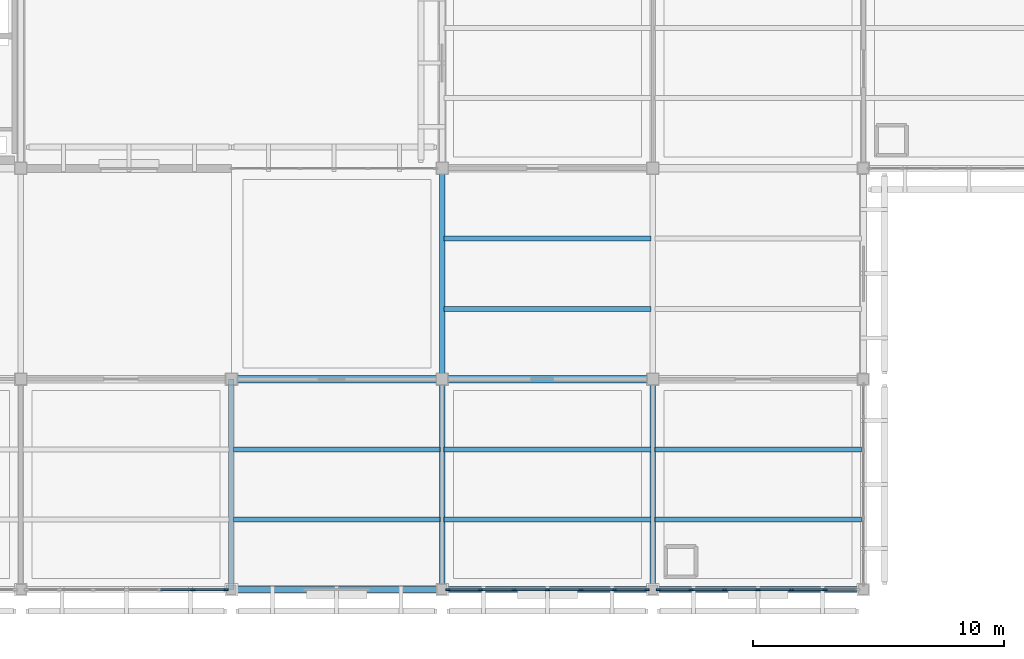
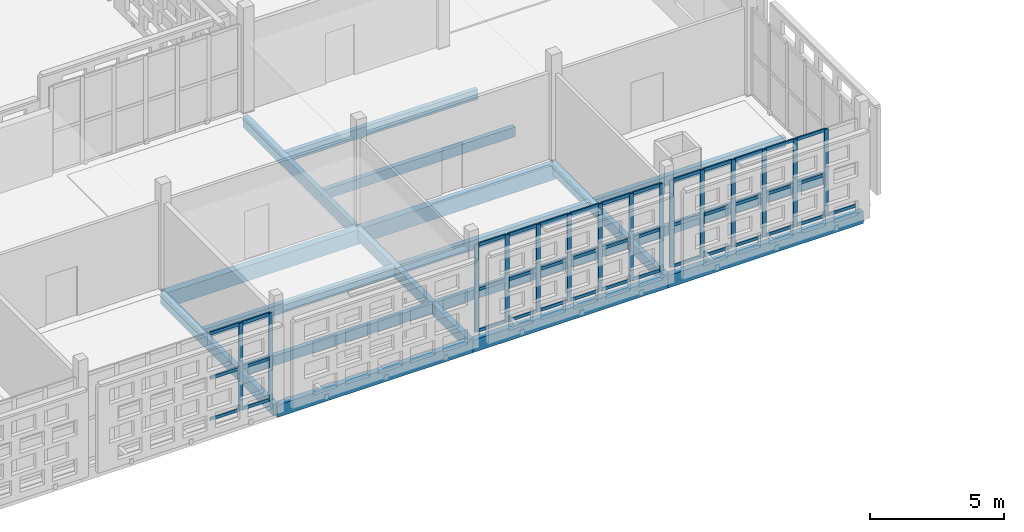
# One storey, part 19 of 203: 55 members, 17 beams, 3 elements without a shape of their own.
"""IFC4 building model written with IfcOpenShell, lengths in metres."""

from ifc_helpers import new_model, si_unit, direction, frame, origin, origin_2d, place, context, subcontext, project, spatial, rectangle, extrude, material, layer, layer_set, material_profile, profile_set, type_object, element, aggregate, save


model = new_model("IFC4")

# Units and contexts
model_context = context("Model", 3, precision=1e-05, world=origin(), true_north=direction((0.0, 1.0)))
body_context = subcontext(model_context, "Body", "Model", "MODEL_VIEW")
ifc_project = project(units=[si_unit("LENGTHUNIT", "METRE"), si_unit("AREAUNIT", "SQUARE_METRE"), si_unit("VOLUMEUNIT", "CUBIC_METRE"), si_unit("PLANEANGLEUNIT", "RADIAN"), si_unit("MASSUNIT", "GRAM", prefix="KILO")], contexts=[model_context])

# Site, building, storey
site_placement = place(None, origin())
site = spatial("IfcSite", under=ifc_project, at=site_placement, CompositionType="ELEMENT")
building_placement = place(site_placement, origin())
building = spatial("IfcBuilding", under=site, at=building_placement, Name="Varnapada Polytechnic", CompositionType="ELEMENT")
storey_placement = place(building_placement, frame((0.0, 0.0, 4.800048828125)))
storey = spatial("IfcBuildingStorey", under=building, at=storey_placement, Name="L01", CompositionType="ELEMENT", Elevation=4.800048828125)

# Beams
ifc_material_1 = material(Name="Glulam GL32h", Category="wood")
ifc_material_profile_1 = material_profile(ifc_material_1, rectangle(XDim=0.199951171875, YDim=0.43994140625, at=origin_2d()), Name="GL 200x440")
ifc_profile_set_1 = profile_set([ifc_material_profile_1], Name="Glulam GL32h")
beam_type_1 = type_object("IfcBeamType", Name="Heavy laboratory glulam joist GJ-03 (GL 200x440)", PredefinedType="JOIST", material=ifc_profile_set_1)
for number, where, z_axis, x_axis, name in (
    (1, (33.679931640625, 2.800048828125, -0.47998046875), (1.0, 0.0, 0.0), (0.0, 1.0, 0.0), "L01 floor joist 5/1.1"),
    (2, (33.679931640625, 5.60009765625, -0.47998046875), (1.0, 0.0, 0.0), (0.0, 1.0, 0.0), "L01 floor joist 5/1.2"),
    (3, (42.080078125, 2.800048828125, -0.47998046875), (1.0, 0.0, 0.0), (0.0, 1.0, 0.0), "L01 floor joist 6/1.1"),
    (4, (42.080078125, 5.60009765625, -0.47998046875), (1.0, 0.0, 0.0), (0.0, 1.0, 0.0), "L01 floor joist 6/1.2"),
    (5, (42.080078125, 11.199951171875, -0.47998046875), (1.0, 0.0, 0.0), (0.0, 1.0, 0.0), "L01 floor joist 6/2.1"),
    (6, (42.080078125, 14.0, -0.47998046875), (1.0, 0.0, 0.0), (0.0, 1.0, 0.0), "L01 floor joist 6/2.2"),
    (7, (50.47998046875, 2.800048828125, -0.47998046875), (1.0, 0.0, 0.0), (0.0, 1.0, 0.0), "L01 floor joist 7/1.1"),
    (8, (50.47998046875, 5.60009765625, -0.47998046875), (1.0, 0.0, 0.0), (0.0, 1.0, 0.0), "L01 floor joist 7/1.2"),
):
    element("IfcBeam", number, at=place(storey_placement, frame(where, z_axis=z_axis, x_axis=x_axis)), inside=storey, type_object=beam_type_1, Name=name, PredefinedType="JOIST", context=body_context, shape_type="SweptSolid", body=[
        extrude(rectangle(XDim=0.199951171875, YDim=0.43994140625, at=origin_2d()), origin(), (0.0, 0.0, 1.0), 8.239990234375),
    ])
ifc_material_profile_2 = material_profile(ifc_material_1, rectangle(XDim=0.219970703125, YDim=0.52001953125, at=origin_2d()), Name="GL 220x520")
ifc_profile_set_2 = profile_set([ifc_material_profile_2], Name="Glulam GL32h")
beam_type_2 = type_object("IfcBeamType", Name="Laboratory transverse glulam beam GB-12 (GL 220x520)", PredefinedType="BEAM", material=ifc_profile_set_2)
for number, where, z_axis, x_axis, name in (
    (9, (33.60009765625, 0.0, -0.52001953125), (0.0, 1.0, 0.0), (-1.0, 0.0, 0.0), "L01 beam Y 1-2 at X5"),
    (10, (42.0, 0.0, -0.52001953125), (0.0, 1.0, 0.0), (-1.0, 0.0, 0.0), "L01 beam Y 1-2 at X6"),
):
    element("IfcBeam", number, at=place(storey_placement, frame(where, z_axis=z_axis, x_axis=x_axis)), inside=storey, type_object=beam_type_2, Name=name, PredefinedType="BEAM", context=body_context, shape_type="SweptSolid", body=[
        extrude(rectangle(XDim=0.219970703125, YDim=0.52001953125, at=origin_2d()), origin(), (0.0, 0.0, 1.0), 8.39990234375),
    ])
beam_1_placement = place(storey_placement, frame((42.0, 8.39990234375, -0.530029296875), z_axis=(0.0, 1.0, 0.0), x_axis=(-1.0, 0.0, 0.0)))
element("IfcBeam", 11, at=beam_1_placement, inside=storey, type_object=beam_type_2, Name="L01 beam Y 2-3 at X6", PredefinedType="BEAM", context=body_context, shape_type="SweptSolid", body=[
    extrude(rectangle(XDim=0.219970703125, YDim=0.52001953125, at=origin_2d()), origin(), (0.0, 0.0, 1.0), 8.400146484375),
])

# Curtain wall, members
ifc_material_2 = material(Name="Double low-E laminated glass", Category="glass")
ifc_layer_1 = layer(ifc_material_2, 0.179931640625)
ifc_layer_set_1 = layer_set([ifc_layer_1], Name="Double low-E laminated glass")
curtain_wall_type_1 = type_object("IfcCurtainWallType", Name="Curtain Wall CW-03", PredefinedType="NOTDEFINED", material=ifc_layer_set_1)
curtain_wall_1_placement = place(storey_placement, origin())
curtain_wall_1 = element("IfcCurtainWall", 12, at=curtain_wall_1_placement, inside=storey, type_object=curtain_wall_type_1, Name="L01 unitised curtain wall CW-03 (33)", PredefinedType="NOTDEFINED")
ifc_material_3 = material(Name="Anodised aluminium", Category="aluminium")
ifc_material_profile_3 = material_profile(ifc_material_3, rectangle(XDim=0.06494140625, YDim=0.179931640625, at=origin_2d()), Name="ALU M65x180")
ifc_profile_set_3 = profile_set([ifc_material_profile_3], Name="Anodised aluminium")
member_type_1 = type_object("IfcMemberType", Name="Mullion M-02", PredefinedType="MULLION", material=ifc_profile_set_3)
member_1_placement = place(storey_placement, frame((33.37744140625, 0.0, 0.0), z_axis=(0.0, 0.0, 1.0), x_axis=(0.0, -1.0, 0.0)))
member_1 = element("IfcMember", 13, at=member_1_placement, type_object=member_type_1, Name="CW-03 mullion 1", PredefinedType="MULLION", context=body_context, shape_type="SweptSolid", body=[
    extrude(rectangle(XDim=0.06494140625, YDim=0.179931640625, at=origin_2d()), origin(), (0.0, 0.0, 1.0), 3.9599609375),
])
member_2_placement = place(storey_placement, frame((32.074951171875, 0.0, 0.0), z_axis=(0.0, 0.0, 1.0), x_axis=(0.0, -1.0, 0.0)))
member_2 = element("IfcMember", 14, at=member_2_placement, type_object=member_type_1, Name="CW-03 mullion 2", PredefinedType="MULLION", context=body_context, shape_type="SweptSolid", body=[
    extrude(rectangle(XDim=0.06494140625, YDim=0.179931640625, at=origin_2d()), origin(), (0.0, 0.0, 1.0), 3.9599609375),
])

curtain_wall_2_placement = place(storey_placement, origin())
curtain_wall_2 = element("IfcCurtainWall", 15, at=curtain_wall_2_placement, inside=storey, type_object=curtain_wall_type_1, Name="L01 unitised curtain wall CW-03 (43)", PredefinedType="NOTDEFINED")
member_3_placement = place(storey_placement, frame((50.177490234375, 0.0, 0.0), z_axis=(0.0, 0.0, 1.0), x_axis=(0.0, -1.0, 0.0)))
member_3 = element("IfcMember", 16, at=member_3_placement, type_object=member_type_1, Name="CW-03 mullion 1", PredefinedType="MULLION", context=body_context, shape_type="SweptSolid", body=[
    extrude(rectangle(XDim=0.06494140625, YDim=0.179931640625, at=origin_2d()), origin(), (0.0, 0.0, 1.0), 3.9599609375),
])
member_4_placement = place(storey_placement, frame((48.875, 0.0, 0.0), z_axis=(0.0, 0.0, 1.0), x_axis=(0.0, -1.0, 0.0)))
member_4 = element("IfcMember", 17, at=member_4_placement, type_object=member_type_1, Name="CW-03 mullion 2", PredefinedType="MULLION", context=body_context, shape_type="SweptSolid", body=[
    extrude(rectangle(XDim=0.06494140625, YDim=0.179931640625, at=origin_2d()), origin(), (0.0, 0.0, 1.0), 3.9599609375),
])
member_5_placement = place(storey_placement, frame((47.5400390625, 0.0, 0.0), z_axis=(0.0, 0.0, 1.0), x_axis=(0.0, -1.0, 0.0)))
member_5 = element("IfcMember", 18, at=member_5_placement, type_object=member_type_1, Name="CW-03 mullion 3", PredefinedType="MULLION", context=body_context, shape_type="SweptSolid", body=[
    extrude(rectangle(XDim=0.06494140625, YDim=0.179931640625, at=origin_2d()), origin(), (0.0, 0.0, 1.0), 3.9599609375),
])
member_6_placement = place(storey_placement, frame((46.205078125, 0.0, 0.0), z_axis=(0.0, 0.0, 1.0), x_axis=(0.0, -1.0, 0.0)))
member_6 = element("IfcMember", 19, at=member_6_placement, type_object=member_type_1, Name="CW-03 mullion 4", PredefinedType="MULLION", context=body_context, shape_type="SweptSolid", body=[
    extrude(rectangle(XDim=0.06494140625, YDim=0.179931640625, at=origin_2d()), origin(), (0.0, 0.0, 1.0), 3.9599609375),
])
member_7_placement = place(storey_placement, frame((44.8701171875, 0.0, 0.0), z_axis=(0.0, 0.0, 1.0), x_axis=(0.0, -1.0, 0.0)))
member_7 = element("IfcMember", 20, at=member_7_placement, type_object=member_type_1, Name="CW-03 mullion 5", PredefinedType="MULLION", context=body_context, shape_type="SweptSolid", body=[
    extrude(rectangle(XDim=0.06494140625, YDim=0.179931640625, at=origin_2d()), origin(), (0.0, 0.0, 1.0), 3.9599609375),
])
member_8_placement = place(storey_placement, frame((43.534912109375, 0.0, 0.0), z_axis=(0.0, 0.0, 1.0), x_axis=(0.0, -1.0, 0.0)))
member_8 = element("IfcMember", 21, at=member_8_placement, type_object=member_type_1, Name="CW-03 mullion 6", PredefinedType="MULLION", context=body_context, shape_type="SweptSolid", body=[
    extrude(rectangle(XDim=0.06494140625, YDim=0.179931640625, at=origin_2d()), origin(), (0.0, 0.0, 1.0), 3.9599609375),
])
member_9_placement = place(storey_placement, frame((42.232421875, 0.0, 0.0), z_axis=(0.0, 0.0, 1.0), x_axis=(0.0, -1.0, 0.0)))
member_9 = element("IfcMember", 22, at=member_9_placement, type_object=member_type_1, Name="CW-03 mullion 7", PredefinedType="MULLION", context=body_context, shape_type="SweptSolid", body=[
    extrude(rectangle(XDim=0.06494140625, YDim=0.179931640625, at=origin_2d()), origin(), (0.0, 0.0, 1.0), 3.9599609375),
])

ifc_layer_2 = layer(ifc_material_2, 0.179931640625)
ifc_layer_set_2 = layer_set([ifc_layer_2], Name="Double low-E laminated glass")
curtain_wall_type_2 = type_object("IfcCurtainWallType", Name="Curtain Wall CW-04", PredefinedType="NOTDEFINED", material=ifc_layer_set_2)
curtain_wall_3_placement = place(storey_placement, origin())
curtain_wall_3 = element("IfcCurtainWall", 23, at=curtain_wall_3_placement, inside=storey, type_object=curtain_wall_type_2, Name="L01 unitised curtain wall CW-04 (48)", PredefinedType="NOTDEFINED")
member_10_placement = place(storey_placement, frame((57.264892578125, 0.0, 0.0), z_axis=(0.0, 0.0, 1.0), x_axis=(0.0, -1.0, 0.0)))
member_10 = element("IfcMember", 24, at=member_10_placement, type_object=member_type_1, Name="CW-04 mullion 2", PredefinedType="MULLION", context=body_context, shape_type="SweptSolid", body=[
    extrude(rectangle(XDim=0.06494140625, YDim=0.179931640625, at=origin_2d()), origin(), (0.0, 0.0, 1.0), 3.9599609375),
])
member_11_placement = place(storey_placement, frame((55.929931640625, 0.0, 0.0), z_axis=(0.0, 0.0, 1.0), x_axis=(0.0, -1.0, 0.0)))
member_11 = element("IfcMember", 25, at=member_11_placement, type_object=member_type_1, Name="CW-04 mullion 3", PredefinedType="MULLION", context=body_context, shape_type="SweptSolid", body=[
    extrude(rectangle(XDim=0.06494140625, YDim=0.179931640625, at=origin_2d()), origin(), (0.0, 0.0, 1.0), 3.9599609375),
])
member_12_placement = place(storey_placement, frame((54.594970703125, 0.0, 0.0), z_axis=(0.0, 0.0, 1.0), x_axis=(0.0, -1.0, 0.0)))
member_12 = element("IfcMember", 26, at=member_12_placement, type_object=member_type_1, Name="CW-04 mullion 4", PredefinedType="MULLION", context=body_context, shape_type="SweptSolid", body=[
    extrude(rectangle(XDim=0.06494140625, YDim=0.179931640625, at=origin_2d()), origin(), (0.0, 0.0, 1.0), 3.9599609375),
])
member_13_placement = place(storey_placement, frame((53.260009765625, 0.0, 0.0), z_axis=(0.0, 0.0, 1.0), x_axis=(0.0, -1.0, 0.0)))
member_13 = element("IfcMember", 27, at=member_13_placement, type_object=member_type_1, Name="CW-04 mullion 5", PredefinedType="MULLION", context=body_context, shape_type="SweptSolid", body=[
    extrude(rectangle(XDim=0.06494140625, YDim=0.179931640625, at=origin_2d()), origin(), (0.0, 0.0, 1.0), 3.9599609375),
])
member_14_placement = place(storey_placement, frame((51.925048828125, 0.0, 0.0), z_axis=(0.0, 0.0, 1.0), x_axis=(0.0, -1.0, 0.0)))
member_14 = element("IfcMember", 28, at=member_14_placement, type_object=member_type_1, Name="CW-04 mullion 6", PredefinedType="MULLION", context=body_context, shape_type="SweptSolid", body=[
    extrude(rectangle(XDim=0.06494140625, YDim=0.179931640625, at=origin_2d()), origin(), (0.0, 0.0, 1.0), 3.9599609375),
])
member_15_placement = place(storey_placement, frame((50.62255859375, 0.0, 0.0), z_axis=(0.0, 0.0, 1.0), x_axis=(0.0, -1.0, 0.0)))
member_15 = element("IfcMember", 29, at=member_15_placement, type_object=member_type_1, Name="CW-04 mullion 7", PredefinedType="MULLION", context=body_context, shape_type="SweptSolid", body=[
    extrude(rectangle(XDim=0.06494140625, YDim=0.179931640625, at=origin_2d()), origin(), (0.0, 0.0, 1.0), 3.9599609375),
])

# Beams
ifc_material_profile_4 = material_profile(ifc_material_1, rectangle(XDim=0.239990234375, YDim=0.56005859375, at=origin_2d()), Name="GL 240x560")
ifc_profile_set_4 = profile_set([ifc_material_profile_4], Name="Glulam GL32h")
beam_type_3 = type_object("IfcBeamType", Name="Perimeter glulam spandrel beam SP-02 (GL 240x560)", PredefinedType="SPANDREL", material=ifc_profile_set_4)
for number, where, z_axis, x_axis, name in (
    (30, (33.60009765625, 0.0, -0.5400390625), (1.0, 0.0, 0.0), (0.0, 1.0, 0.0), "L01 beam X 5-6 at Y1"),
    (31, (42.0, 0.0, -0.5400390625), (1.0, 0.0, 0.0), (0.0, 1.0, 0.0), "L01 beam X 6-7 at Y1"),
):
    element("IfcBeam", number, at=place(storey_placement, frame(where, z_axis=z_axis, x_axis=x_axis)), inside=storey, type_object=beam_type_3, Name=name, PredefinedType="SPANDREL", context=body_context, shape_type="SweptSolid", body=[
        extrude(rectangle(XDim=0.239990234375, YDim=0.56005859375, at=origin_2d()), origin(), (0.0, 0.0, 1.0), 8.39990234375),
    ])
beam_2_placement = place(storey_placement, frame((50.39990234375, 0.0, -0.5400390625), z_axis=(1.0, 0.0, 0.0), x_axis=(0.0, 1.0, 0.0)))
element("IfcBeam", 32, at=beam_2_placement, inside=storey, type_object=beam_type_3, Name="L01 beam X 7-8 at Y1", PredefinedType="SPANDREL", context=body_context, shape_type="SweptSolid", body=[
    extrude(rectangle(XDim=0.239990234375, YDim=0.56005859375, at=origin_2d()), origin(), (0.0, 0.0, 1.0), 8.400146484375),
])

# Member
ifc_material_profile_5 = material_profile(ifc_material_3, rectangle(XDim=0.06494140625, YDim=0.139892578125, at=origin_2d()), Name="ALU T65x140")
ifc_profile_set_5 = profile_set([ifc_material_profile_5], Name="Anodised aluminium")
member_type_2 = type_object("IfcMemberType", Name="Transom T-02", PredefinedType="USERDEFINED", material=ifc_profile_set_5)
member_16_placement = place(storey_placement, frame((33.344970703125, 0.0, 0.032470703125), z_axis=(-1.0, 0.0, 0.0), x_axis=(0.0, -1.0, 0.0)))
member_16 = element("IfcMember", 33, at=member_16_placement, type_object=member_type_2, Name="CW-03 transom 1.1", ObjectType="TRANSOM", PredefinedType="USERDEFINED", context=body_context, shape_type="SweptSolid", body=[
    extrude(rectangle(XDim=0.06494140625, YDim=0.139892578125, at=origin_2d()), origin(), (0.0, 0.0, 1.0), 1.237548828125),
])

member_17_placement = place(storey_placement, frame((33.344970703125, 0.0, 1.900634765625), z_axis=(-1.0, 0.0, 0.0), x_axis=(0.0, -1.0, 0.0)))
member_17 = element("IfcMember", 34, at=member_17_placement, type_object=member_type_2, Name="CW-03 transom 1.2", ObjectType="TRANSOM", PredefinedType="USERDEFINED", context=body_context, shape_type="SweptSolid", body=[
    extrude(rectangle(XDim=0.06494140625, YDim=0.139892578125, at=origin_2d()), origin(), (0.0, 0.0, 1.0), 1.237548828125),
])

member_18_placement = place(storey_placement, frame((33.344970703125, 0.0, 3.927490234375), z_axis=(-1.0, 0.0, 0.0), x_axis=(0.0, -1.0, 0.0)))
member_18 = element("IfcMember", 35, at=member_18_placement, type_object=member_type_2, Name="CW-03 transom 1.3", ObjectType="TRANSOM", PredefinedType="USERDEFINED", context=body_context, shape_type="SweptSolid", body=[
    extrude(rectangle(XDim=0.06494140625, YDim=0.139892578125, at=origin_2d()), origin(), (0.0, 0.0, 1.0), 1.237548828125),
])

member_19_placement = place(storey_placement, frame((32.04248046875, 0.0, 0.032470703125), z_axis=(-1.0, 0.0, 0.0), x_axis=(0.0, -1.0, 0.0)))
member_19 = element("IfcMember", 36, at=member_19_placement, type_object=member_type_2, Name="CW-03 transom 2.1", ObjectType="TRANSOM", PredefinedType="USERDEFINED", context=body_context, shape_type="SweptSolid", body=[
    extrude(rectangle(XDim=0.06494140625, YDim=0.139892578125, at=origin_2d()), origin(), (0.0, 0.0, 1.0), 1.27001953125),
])

member_20_placement = place(storey_placement, frame((32.04248046875, 0.0, 1.900634765625), z_axis=(-1.0, 0.0, 0.0), x_axis=(0.0, -1.0, 0.0)))
member_20 = element("IfcMember", 37, at=member_20_placement, type_object=member_type_2, Name="CW-03 transom 2.2", ObjectType="TRANSOM", PredefinedType="USERDEFINED", context=body_context, shape_type="SweptSolid", body=[
    extrude(rectangle(XDim=0.06494140625, YDim=0.139892578125, at=origin_2d()), origin(), (0.0, 0.0, 1.0), 1.27001953125),
])

member_21_placement = place(storey_placement, frame((32.04248046875, 0.0, 3.927490234375), z_axis=(-1.0, 0.0, 0.0), x_axis=(0.0, -1.0, 0.0)))
member_21 = element("IfcMember", 38, at=member_21_placement, type_object=member_type_2, Name="CW-03 transom 2.3", ObjectType="TRANSOM", PredefinedType="USERDEFINED", context=body_context, shape_type="SweptSolid", body=[
    extrude(rectangle(XDim=0.06494140625, YDim=0.139892578125, at=origin_2d()), origin(), (0.0, 0.0, 1.0), 1.27001953125),
])

aggregate(curtain_wall_1, [member_1, member_2, member_16, member_17, member_18, member_19, member_20, member_21])

member_22_placement = place(storey_placement, frame((50.14501953125, 0.0, 0.032470703125), z_axis=(-1.0, 0.0, 0.0), x_axis=(0.0, -1.0, 0.0)))
member_22 = element("IfcMember", 39, at=member_22_placement, type_object=member_type_2, Name="CW-03 transom 1.1", ObjectType="TRANSOM", PredefinedType="USERDEFINED", context=body_context, shape_type="SweptSolid", body=[
    extrude(rectangle(XDim=0.06494140625, YDim=0.139892578125, at=origin_2d()), origin(), (0.0, 0.0, 1.0), 1.237548828125),
])

member_23_placement = place(storey_placement, frame((50.14501953125, 0.0, 1.900634765625), z_axis=(-1.0, 0.0, 0.0), x_axis=(0.0, -1.0, 0.0)))
member_23 = element("IfcMember", 40, at=member_23_placement, type_object=member_type_2, Name="CW-03 transom 1.2", ObjectType="TRANSOM", PredefinedType="USERDEFINED", context=body_context, shape_type="SweptSolid", body=[
    extrude(rectangle(XDim=0.06494140625, YDim=0.139892578125, at=origin_2d()), origin(), (0.0, 0.0, 1.0), 1.237548828125),
])

member_24_placement = place(storey_placement, frame((50.14501953125, 0.0, 3.927490234375), z_axis=(-1.0, 0.0, 0.0), x_axis=(0.0, -1.0, 0.0)))
member_24 = element("IfcMember", 41, at=member_24_placement, type_object=member_type_2, Name="CW-03 transom 1.3", ObjectType="TRANSOM", PredefinedType="USERDEFINED", context=body_context, shape_type="SweptSolid", body=[
    extrude(rectangle(XDim=0.06494140625, YDim=0.139892578125, at=origin_2d()), origin(), (0.0, 0.0, 1.0), 1.237548828125),
])

member_25_placement = place(storey_placement, frame((48.842529296875, 0.0, 0.032470703125), z_axis=(-1.0, 0.0, 0.0), x_axis=(0.0, -1.0, 0.0)))
member_25 = element("IfcMember", 42, at=member_25_placement, type_object=member_type_2, Name="CW-03 transom 2.1", ObjectType="TRANSOM", PredefinedType="USERDEFINED", context=body_context, shape_type="SweptSolid", body=[
    extrude(rectangle(XDim=0.06494140625, YDim=0.139892578125, at=origin_2d()), origin(), (0.0, 0.0, 1.0), 1.27001953125),
])

member_26_placement = place(storey_placement, frame((48.842529296875, 0.0, 1.900634765625), z_axis=(-1.0, 0.0, 0.0), x_axis=(0.0, -1.0, 0.0)))
member_26 = element("IfcMember", 43, at=member_26_placement, type_object=member_type_2, Name="CW-03 transom 2.2", ObjectType="TRANSOM", PredefinedType="USERDEFINED", context=body_context, shape_type="SweptSolid", body=[
    extrude(rectangle(XDim=0.06494140625, YDim=0.139892578125, at=origin_2d()), origin(), (0.0, 0.0, 1.0), 1.27001953125),
])

member_27_placement = place(storey_placement, frame((48.842529296875, 0.0, 3.927490234375), z_axis=(-1.0, 0.0, 0.0), x_axis=(0.0, -1.0, 0.0)))
member_27 = element("IfcMember", 44, at=member_27_placement, type_object=member_type_2, Name="CW-03 transom 2.3", ObjectType="TRANSOM", PredefinedType="USERDEFINED", context=body_context, shape_type="SweptSolid", body=[
    extrude(rectangle(XDim=0.06494140625, YDim=0.139892578125, at=origin_2d()), origin(), (0.0, 0.0, 1.0), 1.27001953125),
])

member_28_placement = place(storey_placement, frame((47.507568359375, 0.0, 0.032470703125), z_axis=(-1.0, 0.0, 0.0), x_axis=(0.0, -1.0, 0.0)))
member_28 = element("IfcMember", 45, at=member_28_placement, type_object=member_type_2, Name="CW-03 transom 3.1", ObjectType="TRANSOM", PredefinedType="USERDEFINED", context=body_context, shape_type="SweptSolid", body=[
    extrude(rectangle(XDim=0.06494140625, YDim=0.139892578125, at=origin_2d()), origin(), (0.0, 0.0, 1.0), 1.27001953125),
])

member_29_placement = place(storey_placement, frame((47.507568359375, 0.0, 1.900634765625), z_axis=(-1.0, 0.0, 0.0), x_axis=(0.0, -1.0, 0.0)))
member_29 = element("IfcMember", 46, at=member_29_placement, type_object=member_type_2, Name="CW-03 transom 3.2", ObjectType="TRANSOM", PredefinedType="USERDEFINED", context=body_context, shape_type="SweptSolid", body=[
    extrude(rectangle(XDim=0.06494140625, YDim=0.139892578125, at=origin_2d()), origin(), (0.0, 0.0, 1.0), 1.27001953125),
])

member_30_placement = place(storey_placement, frame((47.507568359375, 0.0, 3.927490234375), z_axis=(-1.0, 0.0, 0.0), x_axis=(0.0, -1.0, 0.0)))
member_30 = element("IfcMember", 47, at=member_30_placement, type_object=member_type_2, Name="CW-03 transom 3.3", ObjectType="TRANSOM", PredefinedType="USERDEFINED", context=body_context, shape_type="SweptSolid", body=[
    extrude(rectangle(XDim=0.06494140625, YDim=0.139892578125, at=origin_2d()), origin(), (0.0, 0.0, 1.0), 1.27001953125),
])

member_31_placement = place(storey_placement, frame((46.172607421875, 0.0, 0.032470703125), z_axis=(-1.0, 0.0, 0.0), x_axis=(0.0, -1.0, 0.0)))
member_31 = element("IfcMember", 48, at=member_31_placement, type_object=member_type_2, Name="CW-03 transom 4.1", ObjectType="TRANSOM", PredefinedType="USERDEFINED", context=body_context, shape_type="SweptSolid", body=[
    extrude(rectangle(XDim=0.06494140625, YDim=0.139892578125, at=origin_2d()), origin(), (0.0, 0.0, 1.0), 1.27001953125),
])

member_32_placement = place(storey_placement, frame((46.172607421875, 0.0, 1.900634765625), z_axis=(-1.0, 0.0, 0.0), x_axis=(0.0, -1.0, 0.0)))
member_32 = element("IfcMember", 49, at=member_32_placement, type_object=member_type_2, Name="CW-03 transom 4.2", ObjectType="TRANSOM", PredefinedType="USERDEFINED", context=body_context, shape_type="SweptSolid", body=[
    extrude(rectangle(XDim=0.06494140625, YDim=0.139892578125, at=origin_2d()), origin(), (0.0, 0.0, 1.0), 1.27001953125),
])

member_33_placement = place(storey_placement, frame((46.172607421875, 0.0, 3.927490234375), z_axis=(-1.0, 0.0, 0.0), x_axis=(0.0, -1.0, 0.0)))
member_33 = element("IfcMember", 50, at=member_33_placement, type_object=member_type_2, Name="CW-03 transom 4.3", ObjectType="TRANSOM", PredefinedType="USERDEFINED", context=body_context, shape_type="SweptSolid", body=[
    extrude(rectangle(XDim=0.06494140625, YDim=0.139892578125, at=origin_2d()), origin(), (0.0, 0.0, 1.0), 1.27001953125),
])

member_34_placement = place(storey_placement, frame((44.83740234375, 0.0, 0.032470703125), z_axis=(-1.0, 0.0, 0.0), x_axis=(0.0, -1.0, 0.0)))
member_34 = element("IfcMember", 51, at=member_34_placement, type_object=member_type_2, Name="CW-03 transom 5.1", ObjectType="TRANSOM", PredefinedType="USERDEFINED", context=body_context, shape_type="SweptSolid", body=[
    extrude(rectangle(XDim=0.06494140625, YDim=0.139892578125, at=origin_2d()), origin(), (0.0, 0.0, 1.0), 1.27001953125),
])

member_35_placement = place(storey_placement, frame((44.83740234375, 0.0, 1.900634765625), z_axis=(-1.0, 0.0, 0.0), x_axis=(0.0, -1.0, 0.0)))
member_35 = element("IfcMember", 52, at=member_35_placement, type_object=member_type_2, Name="CW-03 transom 5.2", ObjectType="TRANSOM", PredefinedType="USERDEFINED", context=body_context, shape_type="SweptSolid", body=[
    extrude(rectangle(XDim=0.06494140625, YDim=0.139892578125, at=origin_2d()), origin(), (0.0, 0.0, 1.0), 1.27001953125),
])

member_36_placement = place(storey_placement, frame((44.83740234375, 0.0, 3.927490234375), z_axis=(-1.0, 0.0, 0.0), x_axis=(0.0, -1.0, 0.0)))
member_36 = element("IfcMember", 53, at=member_36_placement, type_object=member_type_2, Name="CW-03 transom 5.3", ObjectType="TRANSOM", PredefinedType="USERDEFINED", context=body_context, shape_type="SweptSolid", body=[
    extrude(rectangle(XDim=0.06494140625, YDim=0.139892578125, at=origin_2d()), origin(), (0.0, 0.0, 1.0), 1.27001953125),
])

member_37_placement = place(storey_placement, frame((43.50244140625, 0.0, 0.032470703125), z_axis=(-1.0, 0.0, 0.0), x_axis=(0.0, -1.0, 0.0)))
member_37 = element("IfcMember", 54, at=member_37_placement, type_object=member_type_2, Name="CW-03 transom 6.1", ObjectType="TRANSOM", PredefinedType="USERDEFINED", context=body_context, shape_type="SweptSolid", body=[
    extrude(rectangle(XDim=0.06494140625, YDim=0.139892578125, at=origin_2d()), origin(), (0.0, 0.0, 1.0), 1.237548828125),
])

member_38_placement = place(storey_placement, frame((43.50244140625, 0.0, 1.900634765625), z_axis=(-1.0, 0.0, 0.0), x_axis=(0.0, -1.0, 0.0)))
member_38 = element("IfcMember", 55, at=member_38_placement, type_object=member_type_2, Name="CW-03 transom 6.2", ObjectType="TRANSOM", PredefinedType="USERDEFINED", context=body_context, shape_type="SweptSolid", body=[
    extrude(rectangle(XDim=0.06494140625, YDim=0.139892578125, at=origin_2d()), origin(), (0.0, 0.0, 1.0), 1.237548828125),
])

member_39_placement = place(storey_placement, frame((43.50244140625, 0.0, 3.927490234375), z_axis=(-1.0, 0.0, 0.0), x_axis=(0.0, -1.0, 0.0)))
member_39 = element("IfcMember", 56, at=member_39_placement, type_object=member_type_2, Name="CW-03 transom 6.3", ObjectType="TRANSOM", PredefinedType="USERDEFINED", context=body_context, shape_type="SweptSolid", body=[
    extrude(rectangle(XDim=0.06494140625, YDim=0.139892578125, at=origin_2d()), origin(), (0.0, 0.0, 1.0), 1.237548828125),
])

aggregate(curtain_wall_2, [member_3, member_4, member_5, member_6, member_7, member_8, member_9, member_22, member_23, member_24, member_25, member_26, member_27, member_28, member_29, member_30, member_31, member_32, member_33, member_34, member_35, member_36, member_37, member_38, member_39])

member_40_placement = place(storey_placement, frame((58.534912109375, 0.0, 0.032470703125), z_axis=(-1.0, 0.0, 0.0), x_axis=(0.0, -1.0, 0.0)))
member_40 = element("IfcMember", 57, at=member_40_placement, type_object=member_type_2, Name="CW-04 transom 1.1", ObjectType="TRANSOM", PredefinedType="USERDEFINED", context=body_context, shape_type="SweptSolid", body=[
    extrude(rectangle(XDim=0.06494140625, YDim=0.139892578125, at=origin_2d()), origin(), (0.0, 0.0, 1.0), 1.2373046875),
])

member_41_placement = place(storey_placement, frame((57.232421875, 0.0, 0.032470703125), z_axis=(-1.0, 0.0, 0.0), x_axis=(0.0, -1.0, 0.0)))
member_41 = element("IfcMember", 58, at=member_41_placement, type_object=member_type_2, Name="CW-04 transom 2.1", ObjectType="TRANSOM", PredefinedType="USERDEFINED", context=body_context, shape_type="SweptSolid", body=[
    extrude(rectangle(XDim=0.06494140625, YDim=0.139892578125, at=origin_2d()), origin(), (0.0, 0.0, 1.0), 1.27001953125),
])

member_42_placement = place(storey_placement, frame((57.232421875, 0.0, 1.900634765625), z_axis=(-1.0, 0.0, 0.0), x_axis=(0.0, -1.0, 0.0)))
member_42 = element("IfcMember", 59, at=member_42_placement, type_object=member_type_2, Name="CW-04 transom 2.2", ObjectType="TRANSOM", PredefinedType="USERDEFINED", context=body_context, shape_type="SweptSolid", body=[
    extrude(rectangle(XDim=0.06494140625, YDim=0.139892578125, at=origin_2d()), origin(), (0.0, 0.0, 1.0), 1.27001953125),
])

member_43_placement = place(storey_placement, frame((57.232421875, 0.0, 3.927490234375), z_axis=(-1.0, 0.0, 0.0), x_axis=(0.0, -1.0, 0.0)))
member_43 = element("IfcMember", 60, at=member_43_placement, type_object=member_type_2, Name="CW-04 transom 2.3", ObjectType="TRANSOM", PredefinedType="USERDEFINED", context=body_context, shape_type="SweptSolid", body=[
    extrude(rectangle(XDim=0.06494140625, YDim=0.139892578125, at=origin_2d()), origin(), (0.0, 0.0, 1.0), 1.27001953125),
])

member_44_placement = place(storey_placement, frame((55.8974609375, 0.0, 0.032470703125), z_axis=(-1.0, 0.0, 0.0), x_axis=(0.0, -1.0, 0.0)))
member_44 = element("IfcMember", 61, at=member_44_placement, type_object=member_type_2, Name="CW-04 transom 3.1", ObjectType="TRANSOM", PredefinedType="USERDEFINED", context=body_context, shape_type="SweptSolid", body=[
    extrude(rectangle(XDim=0.06494140625, YDim=0.139892578125, at=origin_2d()), origin(), (0.0, 0.0, 1.0), 1.27001953125),
])

member_45_placement = place(storey_placement, frame((55.8974609375, 0.0, 1.900634765625), z_axis=(-1.0, 0.0, 0.0), x_axis=(0.0, -1.0, 0.0)))
member_45 = element("IfcMember", 62, at=member_45_placement, type_object=member_type_2, Name="CW-04 transom 3.2", ObjectType="TRANSOM", PredefinedType="USERDEFINED", context=body_context, shape_type="SweptSolid", body=[
    extrude(rectangle(XDim=0.06494140625, YDim=0.139892578125, at=origin_2d()), origin(), (0.0, 0.0, 1.0), 1.27001953125),
])

member_46_placement = place(storey_placement, frame((55.8974609375, 0.0, 3.927490234375), z_axis=(-1.0, 0.0, 0.0), x_axis=(0.0, -1.0, 0.0)))
member_46 = element("IfcMember", 63, at=member_46_placement, type_object=member_type_2, Name="CW-04 transom 3.3", ObjectType="TRANSOM", PredefinedType="USERDEFINED", context=body_context, shape_type="SweptSolid", body=[
    extrude(rectangle(XDim=0.06494140625, YDim=0.139892578125, at=origin_2d()), origin(), (0.0, 0.0, 1.0), 1.27001953125),
])

member_47_placement = place(storey_placement, frame((54.5625, 0.0, 0.032470703125), z_axis=(-1.0, 0.0, 0.0), x_axis=(0.0, -1.0, 0.0)))
member_47 = element("IfcMember", 64, at=member_47_placement, type_object=member_type_2, Name="CW-04 transom 4.1", ObjectType="TRANSOM", PredefinedType="USERDEFINED", context=body_context, shape_type="SweptSolid", body=[
    extrude(rectangle(XDim=0.06494140625, YDim=0.139892578125, at=origin_2d()), origin(), (0.0, 0.0, 1.0), 1.27001953125),
])

member_48_placement = place(storey_placement, frame((54.5625, 0.0, 1.900634765625), z_axis=(-1.0, 0.0, 0.0), x_axis=(0.0, -1.0, 0.0)))
member_48 = element("IfcMember", 65, at=member_48_placement, type_object=member_type_2, Name="CW-04 transom 4.2", ObjectType="TRANSOM", PredefinedType="USERDEFINED", context=body_context, shape_type="SweptSolid", body=[
    extrude(rectangle(XDim=0.06494140625, YDim=0.139892578125, at=origin_2d()), origin(), (0.0, 0.0, 1.0), 1.27001953125),
])

member_49_placement = place(storey_placement, frame((54.5625, 0.0, 3.927490234375), z_axis=(-1.0, 0.0, 0.0), x_axis=(0.0, -1.0, 0.0)))
member_49 = element("IfcMember", 66, at=member_49_placement, type_object=member_type_2, Name="CW-04 transom 4.3", ObjectType="TRANSOM", PredefinedType="USERDEFINED", context=body_context, shape_type="SweptSolid", body=[
    extrude(rectangle(XDim=0.06494140625, YDim=0.139892578125, at=origin_2d()), origin(), (0.0, 0.0, 1.0), 1.27001953125),
])

member_50_placement = place(storey_placement, frame((53.2275390625, 0.0, 0.032470703125), z_axis=(-1.0, 0.0, 0.0), x_axis=(0.0, -1.0, 0.0)))
member_50 = element("IfcMember", 67, at=member_50_placement, type_object=member_type_2, Name="CW-04 transom 5.1", ObjectType="TRANSOM", PredefinedType="USERDEFINED", context=body_context, shape_type="SweptSolid", body=[
    extrude(rectangle(XDim=0.06494140625, YDim=0.139892578125, at=origin_2d()), origin(), (0.0, 0.0, 1.0), 1.27001953125),
])

member_51_placement = place(storey_placement, frame((53.2275390625, 0.0, 1.900634765625), z_axis=(-1.0, 0.0, 0.0), x_axis=(0.0, -1.0, 0.0)))
member_51 = element("IfcMember", 68, at=member_51_placement, type_object=member_type_2, Name="CW-04 transom 5.2", ObjectType="TRANSOM", PredefinedType="USERDEFINED", context=body_context, shape_type="SweptSolid", body=[
    extrude(rectangle(XDim=0.06494140625, YDim=0.139892578125, at=origin_2d()), origin(), (0.0, 0.0, 1.0), 1.27001953125),
])

member_52_placement = place(storey_placement, frame((53.2275390625, 0.0, 3.927490234375), z_axis=(-1.0, 0.0, 0.0), x_axis=(0.0, -1.0, 0.0)))
member_52 = element("IfcMember", 69, at=member_52_placement, type_object=member_type_2, Name="CW-04 transom 5.3", ObjectType="TRANSOM", PredefinedType="USERDEFINED", context=body_context, shape_type="SweptSolid", body=[
    extrude(rectangle(XDim=0.06494140625, YDim=0.139892578125, at=origin_2d()), origin(), (0.0, 0.0, 1.0), 1.27001953125),
])

member_53_placement = place(storey_placement, frame((51.892578125, 0.0, 0.032470703125), z_axis=(-1.0, 0.0, 0.0), x_axis=(0.0, -1.0, 0.0)))
member_53 = element("IfcMember", 70, at=member_53_placement, type_object=member_type_2, Name="CW-04 transom 6.1", ObjectType="TRANSOM", PredefinedType="USERDEFINED", context=body_context, shape_type="SweptSolid", body=[
    extrude(rectangle(XDim=0.06494140625, YDim=0.139892578125, at=origin_2d()), origin(), (0.0, 0.0, 1.0), 1.237548828125),
])

member_54_placement = place(storey_placement, frame((51.892578125, 0.0, 1.900634765625), z_axis=(-1.0, 0.0, 0.0), x_axis=(0.0, -1.0, 0.0)))
member_54 = element("IfcMember", 71, at=member_54_placement, type_object=member_type_2, Name="CW-04 transom 6.2", ObjectType="TRANSOM", PredefinedType="USERDEFINED", context=body_context, shape_type="SweptSolid", body=[
    extrude(rectangle(XDim=0.06494140625, YDim=0.139892578125, at=origin_2d()), origin(), (0.0, 0.0, 1.0), 1.237548828125),
])

member_55_placement = place(storey_placement, frame((51.892578125, 0.0, 3.927490234375), z_axis=(-1.0, 0.0, 0.0), x_axis=(0.0, -1.0, 0.0)))
member_55 = element("IfcMember", 72, at=member_55_placement, type_object=member_type_2, Name="CW-04 transom 6.3", ObjectType="TRANSOM", PredefinedType="USERDEFINED", context=body_context, shape_type="SweptSolid", body=[
    extrude(rectangle(XDim=0.06494140625, YDim=0.139892578125, at=origin_2d()), origin(), (0.0, 0.0, 1.0), 1.237548828125),
])

aggregate(curtain_wall_3, [member_10, member_11, member_12, member_13, member_14, member_15, member_40, member_41, member_42, member_43, member_44, member_45, member_46, member_47, member_48, member_49, member_50, member_51, member_52, member_53, member_54, member_55])

# Beams
ifc_material_profile_6 = material_profile(ifc_material_1, rectangle(XDim=0.219970703125, YDim=0.47998046875, at=origin_2d()), Name="GL 220x480")
ifc_profile_set_6 = profile_set([ifc_material_profile_6], Name="Glulam GL32h")
beam_type_4 = type_object("IfcBeamType", Name="Upper floor glulam tie beam GB-11 (GL 220x480)", PredefinedType="BEAM", material=ifc_profile_set_6)
beam_3_placement = place(storey_placement, frame((50.39990234375, 0.0, -0.5), z_axis=(0.0, 1.0, 0.0), x_axis=(-1.0, 0.0, 0.0)))
element("IfcBeam", 73, at=beam_3_placement, inside=storey, type_object=beam_type_4, Name="L01 beam Y 1-2 at X7", PredefinedType="BEAM", context=body_context, shape_type="SweptSolid", body=[
    extrude(rectangle(XDim=0.219970703125, YDim=0.47998046875, at=origin_2d()), origin(), (0.0, 0.0, 1.0), 8.39990234375),
])
ifc_material_profile_7 = material_profile(ifc_material_1, rectangle(XDim=0.300048828125, YDim=0.679931640625, at=origin_2d()), Name="GL 300x680")
ifc_profile_set_7 = profile_set([ifc_material_profile_7], Name="Glulam GL32h")
beam_type_5 = type_object("IfcBeamType", Name="Wet laboratory glulam girder GG-04 (GL 300x680)", PredefinedType="BEAM", material=ifc_profile_set_7)
for number, where, z_axis, x_axis, name in (
    (74, (33.60009765625, 8.39990234375, -0.60009765625), (1.0, 0.0, 0.0), (0.0, 1.0, 0.0), "L01 beam X 5-6 at Y2"),
    (75, (42.0, 8.39990234375, -0.60009765625), (1.0, 0.0, 0.0), (0.0, 1.0, 0.0), "L01 beam X 6-7 at Y2"),
):
    element("IfcBeam", number, at=place(storey_placement, frame(where, z_axis=z_axis, x_axis=x_axis)), inside=storey, type_object=beam_type_5, Name=name, PredefinedType="BEAM", context=body_context, shape_type="SweptSolid", body=[
        extrude(rectangle(XDim=0.300048828125, YDim=0.679931640625, at=origin_2d()), origin(), (0.0, 0.0, 1.0), 8.39990234375),
    ])

save(model, "model.ifc")
